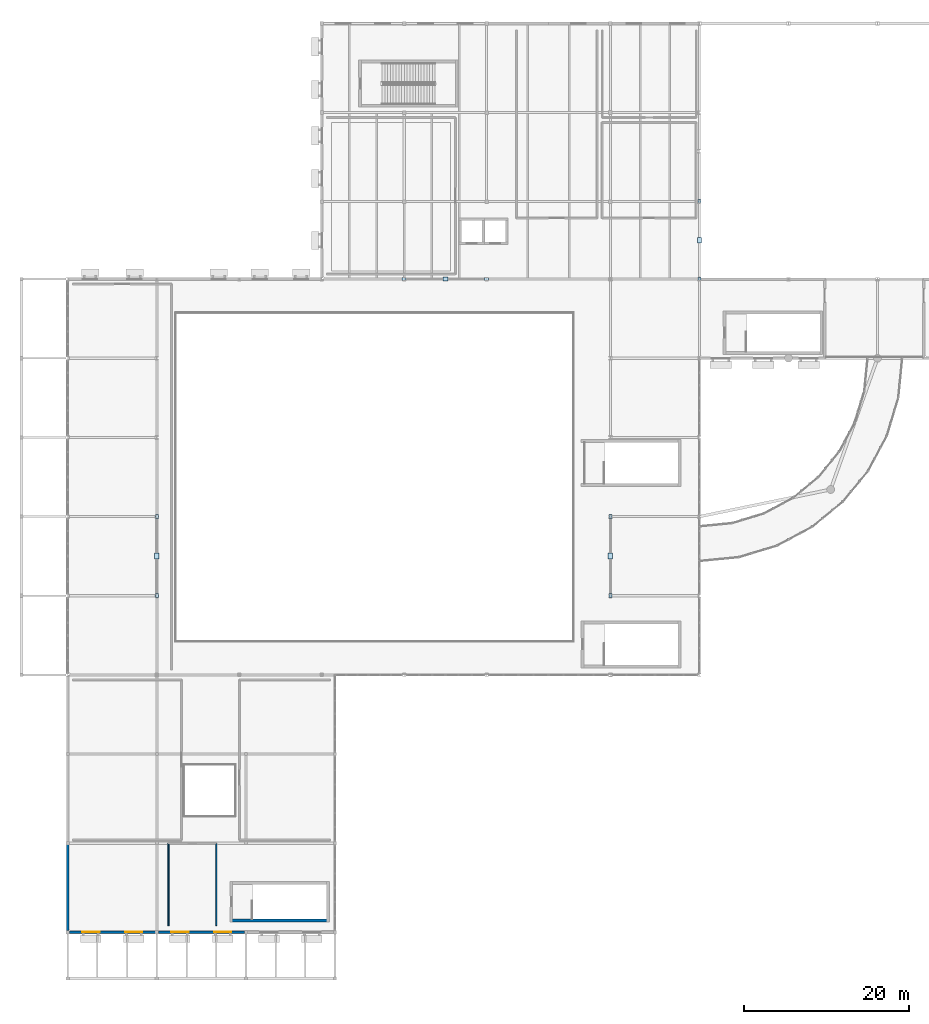
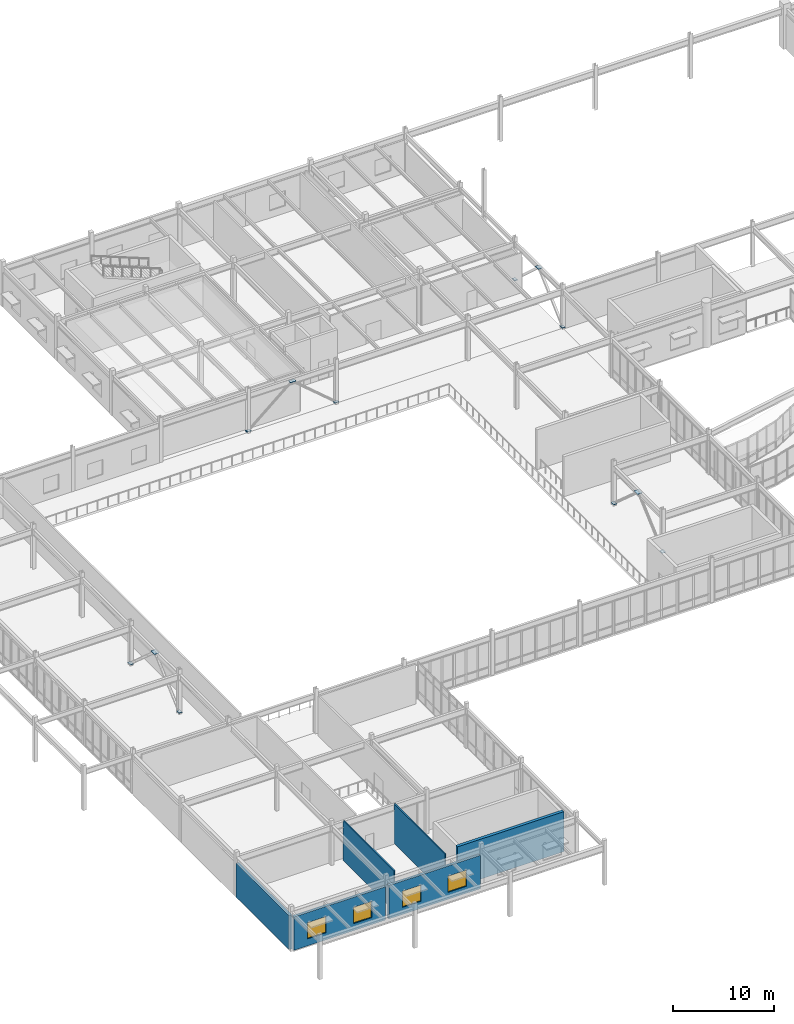
# One storey, part 41 of 68: 12 plates, 6 walls, 4 windows, 4 openings.
"""IFC4 building model written with IfcOpenShell, lengths in metres."""

from ifc_helpers import new_model, si_unit, direction, frame, frame_2d, origin, origin_2d, place, context, subcontext, project, spatial, rectangle, extrude, material, layer, layer_set, type_object, element, fill, save


model = new_model("IFC4")

# Units and contexts
model_context = context("Model", 3, precision=1e-05, world=origin(), true_north=direction((0.0, 1.0)))
body_context = subcontext(model_context, "Body", "Model", "MODEL_VIEW")
ifc_project = project(units=[si_unit("LENGTHUNIT", "METRE"), si_unit("AREAUNIT", "SQUARE_METRE"), si_unit("VOLUMEUNIT", "CUBIC_METRE"), si_unit("PLANEANGLEUNIT", "RADIAN"), si_unit("MASSUNIT", "GRAM", prefix="KILO")], contexts=[model_context])

# Site, building, storey
site_placement = place(None, origin())
site = spatial("IfcSite", under=ifc_project, at=site_placement, CompositionType="ELEMENT")
building_placement = place(site_placement, origin())
building = spatial("IfcBuilding", under=site, at=building_placement, Name="Veldera Park Congress Hotel", CompositionType="ELEMENT")
storey_placement = place(building_placement, frame((0.0, 0.0, 10.800048828125)))
storey = spatial("IfcBuildingStorey", under=building, at=storey_placement, Name="L02", CompositionType="ELEMENT", Elevation=10.800048828125)

# Plates
ifc_material_1 = material(Name="Steel ASTM A572 Gr.50", Category="steel")
ifc_layer_1 = layer(ifc_material_1, 0.02197265625)
ifc_layer_set_1 = layer_set([ifc_layer_1], Name="Steel ASTM A572 Gr.50")
plate_type_1 = type_object("IfcPlateType", Name="PLT-CAP01", PredefinedType="SHEET", material=ifc_layer_set_1)
for number, where, z_axis, x_axis, name in (
    (1, (-1.60009765625, 27.0, 0.18896484375), (0.0, 0.0, 1.0), (0.0, 1.0, 0.0), "Brace Base Cap Plate 15A"),
    (2, (-1.60009765625, 36.39990234375, 0.18896484375), (0.0, 0.0, 1.0), (0.0, 1.0, 0.0), "Brace Base Cap Plate 15B"),
    (3, (-37.39990234375, 27.0, 0.18896484375), (0.0, 0.0, 1.0), (1.0, 0.0, 0.0), "Brace Base Cap Plate 16A"),
    (4, (-27.39990234375, 27.0, 0.18896484375), (0.0, 0.0, 1.0), (1.0, 0.0, 0.0), "Brace Base Cap Plate 16B"),
):
    element("IfcPlate", number, at=place(storey_placement, frame(where, z_axis=z_axis, x_axis=x_axis)), inside=storey, type_object=plate_type_1, Name=name, PredefinedType="SHEET", context=body_context, shape_type="SweptSolid", body=[
        extrude(rectangle(XDim=0.47998046875, YDim=0.340087890625, at=origin_2d()), origin(), (0.0, 0.0, 1.0), 0.02197265625),
    ])
ifc_layer_2 = layer(ifc_material_1, 0.033935546875)
ifc_layer_set_2 = layer_set([ifc_layer_2], Name="Steel ASTM A572 Gr.50")
plate_type_2 = type_object("IfcPlateType", Name="PLT-CAP02", PredefinedType="SHEET", material=ifc_layer_set_2)
for number, where, z_axis, x_axis, name in (
    (5, (-67.39990234375, -11.39990234375, 0.18310546875), (0.0, 0.0, 1.0), (0.0, 1.0, 0.0), "Brace Base Cap Plate 13A"),
    (6, (-67.39990234375, -1.800048828125, 0.18310546875), (0.0, 0.0, 1.0), (0.0, 1.0, 0.0), "Brace Base Cap Plate 13B"),
    (7, (-12.39990234375, -11.39990234375, 0.18310546875), (0.0, 0.0, 1.0), (0.0, 1.0, 0.0), "Brace Base Cap Plate 14A"),
    (8, (-12.39990234375, -1.800048828125, 0.18310546875), (0.0, 0.0, 1.0), (0.0, 1.0, 0.0), "Brace Base Cap Plate 14B"),
):
    element("IfcPlate", number, at=place(storey_placement, frame(where, z_axis=z_axis, x_axis=x_axis)), inside=storey, type_object=plate_type_2, Name=name, PredefinedType="SHEET", context=body_context, shape_type="SweptSolid", body=[
        extrude(rectangle(XDim=0.5400390625, YDim=0.3798828125, at=origin_2d()), origin(), (0.0, 0.0, 1.0), 0.033935546875),
    ])
ifc_layer_3 = layer(ifc_material_1, 0.030029296875)
ifc_layer_set_3 = layer_set([ifc_layer_3], Name="Steel ASTM A572 Gr.50")
plate_type_3 = type_object("IfcPlateType", Name="PLT-GUS02", PredefinedType="USERDEFINED", material=ifc_layer_set_3)
for number, where, z_axis, x_axis, name in (
    (9, (-1.60009765625, 31.699951171875, 4.4765625), (0.0, 0.0, 1.0), (0.0, 1.0, 0.0), "Chevron Apex Gusset Plate 15"),
    (10, (-32.39990234375, 27.0, 4.4345703125), (0.0, 0.0, 1.0), (1.0, 0.0, 0.0), "Chevron Apex Gusset Plate 16"),
):
    element("IfcPlate", number, at=place(storey_placement, frame(where, z_axis=z_axis, x_axis=x_axis)), inside=storey, type_object=plate_type_3, Name=name, ObjectType="GUSSET PLATE", PredefinedType="USERDEFINED", context=body_context, shape_type="SweptSolid", body=[
        extrude(rectangle(XDim=0.639892578125, YDim=0.4599609375, at=origin_2d()), origin(), (0.0, 0.0, 1.0), 0.030029296875),
    ])
ifc_layer_4 = layer(ifc_material_1, 0.0400390625)
ifc_layer_set_4 = layer_set([ifc_layer_4], Name="Steel ASTM A572 Gr.50")
plate_type_4 = type_object("IfcPlateType", Name="PLT-GUS03", PredefinedType="USERDEFINED", material=ifc_layer_set_4)
for number, where, z_axis, x_axis, name in (
    (11, (-67.39990234375, -6.60009765625, 4.433349609375), (0.0, 0.0, 1.0), (0.0, 1.0, 0.0), "Chevron Apex Gusset Plate 13"),
    (12, (-12.39990234375, -6.60009765625, 4.433349609375), (0.0, 0.0, 1.0), (0.0, 1.0, 0.0), "Chevron Apex Gusset Plate 14"),
):
    element("IfcPlate", number, at=place(storey_placement, frame(where, z_axis=z_axis, x_axis=x_axis)), inside=storey, type_object=plate_type_4, Name=name, ObjectType="GUSSET PLATE", PredefinedType="USERDEFINED", context=body_context, shape_type="SweptSolid", body=[
        extrude(rectangle(XDim=0.719970703125, YDim=0.52001953125, at=origin_2d()), origin(), (0.0, 0.0, 1.0), 0.0400390625),
    ])

# Wall
ifc_material_2 = material(Name="Cross-laminated timber CLT V2M1.1", Category="wood")
ifc_layer_5 = layer(ifc_material_2, 0.320068359375)
ifc_layer_set_5 = layer_set([ifc_layer_5], Name="Cross-laminated timber CLT V2M1.1")
wall_type_1 = type_object("IfcWallType", Name="EW-CLT320", PredefinedType="STANDARD", material=ifc_layer_set_5)
wall_1_placement = place(storey_placement, frame((-78.199951171875, -41.593017578125, 0.0), z_axis=(0.0, 0.0, 1.0), x_axis=(0.0, -1.0, 0.0)))
element("IfcWall", 13, at=wall_1_placement, inside=storey, type_object=wall_type_1, Name="L02 Exterior Wall EW3-L02-0097", PredefinedType="STANDARD", context=body_context, shape_type="SweptSolid", body=[
    extrude(rectangle(XDim=10.4140625, YDim=0.320068359375, at=frame_2d((5.20703125, 0.0))), origin(), (0.0, 0.0, 1.0), 4.098876953125),
])

# Wall, openings, windows
wall_2_placement = place(storey_placement, frame((-78.007080078125, -52.199951171875, 0.0), z_axis=(0.0, 0.0, 1.0), x_axis=(1.0, 0.0, 0.0)))
wall_2 = element("IfcWall", 14, at=wall_2_placement, inside=storey, type_object=wall_type_1, Name="L02 Exterior Wall EW3-L02-0098", PredefinedType="STANDARD", context=body_context, shape_type="SweptSolid", body=[
    extrude(rectangle(XDim=10.4140625, YDim=0.320068359375, at=frame_2d((5.20703125, 0.0))), origin(), (0.0, 0.0, 1.0), 4.015869140625),
])
opening_1_placement = place(wall_2_placement, frame((1.553466796875, 0.0, 0.85009765625)))
opening_1 = element("IfcOpeningElement", 15, at=opening_1_placement, cuts=wall_2, Name="Opening WIN-2100", PredefinedType="OPENING", context=body_context, shape_type="SweptSolid", body=[
    extrude(rectangle(XDim=2.10009765625, YDim=1.949951171875, at=frame_2d((1.050048828125, 0.97509765625))), frame((0.0, 0.172119140625, 0.0), z_axis=(0.0, -1.0, 0.0), x_axis=(1.0, 0.0, 0.0)), (0.0, 0.0, 1.0), 0.343994140625),
])
opening_2_placement = place(wall_2_placement, frame((6.760498046875, 0.0, 0.85009765625)))
opening_2 = element("IfcOpeningElement", 16, at=opening_2_placement, cuts=wall_2, Name="Opening WIN-2100", PredefinedType="OPENING", context=body_context, shape_type="SweptSolid", body=[
    extrude(rectangle(XDim=2.10009765625, YDim=1.949951171875, at=frame_2d((1.050048828125, 0.97509765625))), frame((0.0, 0.172119140625, 0.0), z_axis=(0.0, -1.0, 0.0), x_axis=(1.0, 0.0, 0.0)), (0.0, 0.0, 1.0), 0.343994140625),
])
ifc_material_3 = material(Name="Low-E Triple Insulating Glass Unit (SHGC 0.22)", Category="glass")
window_type = type_object("IfcWindowType", Name="WIN-2100", PartitioningType="DOUBLE_PANEL_VERTICAL", PredefinedType="WINDOW", material=ifc_material_3)
window_1_placement = place(opening_1_placement, origin())
window_1 = element("IfcWindow", 17, at=window_1_placement, inside=storey, type_object=window_type, Name="L02 Window WIN-2100 114", OverallHeight=1.949951171875, OverallWidth=2.10009765625, PartitioningType="DOUBLE_PANEL_VERTICAL", PredefinedType="WINDOW", context=body_context, shape_type="SweptSolid", body=[
    extrude(rectangle(XDim=2.10009765625, YDim=1.949951171875, at=frame_2d((1.050048828125, 0.97509765625))), frame((0.0, 0.030029296875, 0.0), z_axis=(0.0, -1.0, 0.0), x_axis=(1.0, 0.0, 0.0)), (0.0, 0.0, 1.0), 0.06005859375),
])
fill(opening_1, window_1)
window_2_placement = place(opening_2_placement, origin())
window_2 = element("IfcWindow", 18, at=window_2_placement, inside=storey, type_object=window_type, Name="L02 Window WIN-2100 115", OverallHeight=1.949951171875, OverallWidth=2.10009765625, PartitioningType="DOUBLE_PANEL_VERTICAL", PredefinedType="WINDOW", context=body_context, shape_type="SweptSolid", body=[
    extrude(rectangle(XDim=2.10009765625, YDim=1.949951171875, at=frame_2d((1.050048828125, 0.97509765625))), frame((0.0, 0.030029296875, 0.0), z_axis=(0.0, -1.0, 0.0), x_axis=(1.0, 0.0, 0.0)), (0.0, 0.0, 1.0), 0.06005859375),
])
fill(opening_2, window_2)

wall_3_placement = place(storey_placement, frame((-67.20703125, -52.199951171875, 0.0), z_axis=(0.0, 0.0, 1.0), x_axis=(1.0, 0.0, 0.0)))
wall_3 = element("IfcWall", 19, at=wall_3_placement, inside=storey, type_object=wall_type_1, Name="L02 Exterior Wall EW3-L02-0099", PredefinedType="STANDARD", context=body_context, shape_type="SweptSolid", body=[
    extrude(rectangle(XDim=10.4140625, YDim=0.320068359375, at=frame_2d((5.20703125, 0.0))), origin(), (0.0, 0.0, 1.0), 4.015869140625),
])
opening_3_placement = place(wall_3_placement, frame((1.553466796875, 0.0, 0.85009765625)))
opening_3 = element("IfcOpeningElement", 20, at=opening_3_placement, cuts=wall_3, Name="Opening WIN-2100", PredefinedType="OPENING", context=body_context, shape_type="SweptSolid", body=[
    extrude(rectangle(XDim=2.10009765625, YDim=1.949951171875, at=frame_2d((1.050048828125, 0.97509765625))), frame((0.0, 0.172119140625, 0.0), z_axis=(0.0, -1.0, 0.0), x_axis=(1.0, 0.0, 0.0)), (0.0, 0.0, 1.0), 0.343994140625),
])
opening_4_placement = place(wall_3_placement, frame((6.760498046875, 0.0, 0.85009765625)))
opening_4 = element("IfcOpeningElement", 21, at=opening_4_placement, cuts=wall_3, Name="Opening WIN-2100", PredefinedType="OPENING", context=body_context, shape_type="SweptSolid", body=[
    extrude(rectangle(XDim=2.10009765625, YDim=1.949951171875, at=frame_2d((1.050048828125, 0.97509765625))), frame((0.0, 0.172119140625, 0.0), z_axis=(0.0, -1.0, 0.0), x_axis=(1.0, 0.0, 0.0)), (0.0, 0.0, 1.0), 0.343994140625),
])
window_3_placement = place(opening_3_placement, origin())
window_3 = element("IfcWindow", 22, at=window_3_placement, inside=storey, type_object=window_type, Name="L02 Window WIN-2100 116", OverallHeight=1.949951171875, OverallWidth=2.10009765625, PartitioningType="DOUBLE_PANEL_VERTICAL", PredefinedType="WINDOW", context=body_context, shape_type="SweptSolid", body=[
    extrude(rectangle(XDim=2.10009765625, YDim=1.949951171875, at=frame_2d((1.050048828125, 0.97509765625))), frame((0.0, 0.030029296875, 0.0), z_axis=(0.0, -1.0, 0.0), x_axis=(1.0, 0.0, 0.0)), (0.0, 0.0, 1.0), 0.06005859375),
])
fill(opening_3, window_3)
window_4_placement = place(opening_4_placement, origin())
window_4 = element("IfcWindow", 23, at=window_4_placement, inside=storey, type_object=window_type, Name="L02 Window WIN-2100 117", OverallHeight=1.949951171875, OverallWidth=2.10009765625, PartitioningType="DOUBLE_PANEL_VERTICAL", PredefinedType="WINDOW", context=body_context, shape_type="SweptSolid", body=[
    extrude(rectangle(XDim=2.10009765625, YDim=1.949951171875, at=frame_2d((1.050048828125, 0.97509765625))), frame((0.0, 0.030029296875, 0.0), z_axis=(0.0, -1.0, 0.0), x_axis=(1.0, 0.0, 0.0)), (0.0, 0.0, 1.0), 0.06005859375),
])
fill(opening_4, window_4)

# Walls
ifc_material_4 = material(Name="Fire-Rated Gypsum Board on Cold-Formed Steel Studs", Category="steel")
ifc_layer_6 = layer(ifc_material_4, 0.14990234375)
ifc_layer_set_6 = layer_set([ifc_layer_6], Name="Fire-Rated Gypsum Board on Cold-Formed Steel Studs")
wall_type_2 = type_object("IfcWallType", Name="IW-PLMB150", PredefinedType="PLUMBINGWALL", material=ifc_layer_set_6)
for number, where, z_axis, x_axis, name in (
    (24, (-60.199951171875, -51.39990234375, 0.0), (0.0, 0.0, 1.0), (0.0, 1.0, 0.0), "L02 Partition Wall IW3-L02-00198"),
    (25, (-66.0, -41.39990234375, 0.0), (0.0, 0.0, 1.0), (0.0, -1.0, 0.0), "L02 Partition Wall IW3-L02-00200"),
):
    element("IfcWall", number, at=place(storey_placement, frame(where, z_axis=z_axis, x_axis=x_axis)), inside=storey, type_object=wall_type_2, Name=name, PredefinedType="PLUMBINGWALL", context=body_context, shape_type="SweptSolid", body=[
        extrude(rectangle(XDim=10.0, YDim=0.14990234375, at=frame_2d((5.0, 0.0))), origin(), (0.0, 0.0, 1.0), 4.800048828125),
    ])
ifc_material_5 = material(Name="Concrete f'c 40 MPa (5,800 psi)", Category="concrete")
ifc_layer_7 = layer(ifc_material_5, 0.35009765625)
ifc_layer_set_7 = layer_set([ifc_layer_7], Name="Concrete f'c 40 MPa (5,800 psi)")
wall_type_3 = type_object("IfcWallType", Name="SW-CORE350", PredefinedType="SHEAR", material=ifc_layer_set_7)
wall_4_placement = place(storey_placement, frame((-58.550048828125, -50.77490234375, 0.0), z_axis=(0.0, 0.0, 1.0), x_axis=(1.0, 0.0, 0.0)))
element("IfcWall", 26, at=wall_4_placement, inside=storey, type_object=wall_type_3, Name="Stair ST8 Core Wall L02-S", PredefinedType="SHEAR", context=body_context, shape_type="SweptSolid", body=[
    extrude(rectangle(XDim=12.10009765625, YDim=0.35009765625, at=frame_2d((6.050048828125, 0.0))), origin(), (0.0, 0.0, 1.0), 4.800048828125),
])

save(model, "model.ifc")
